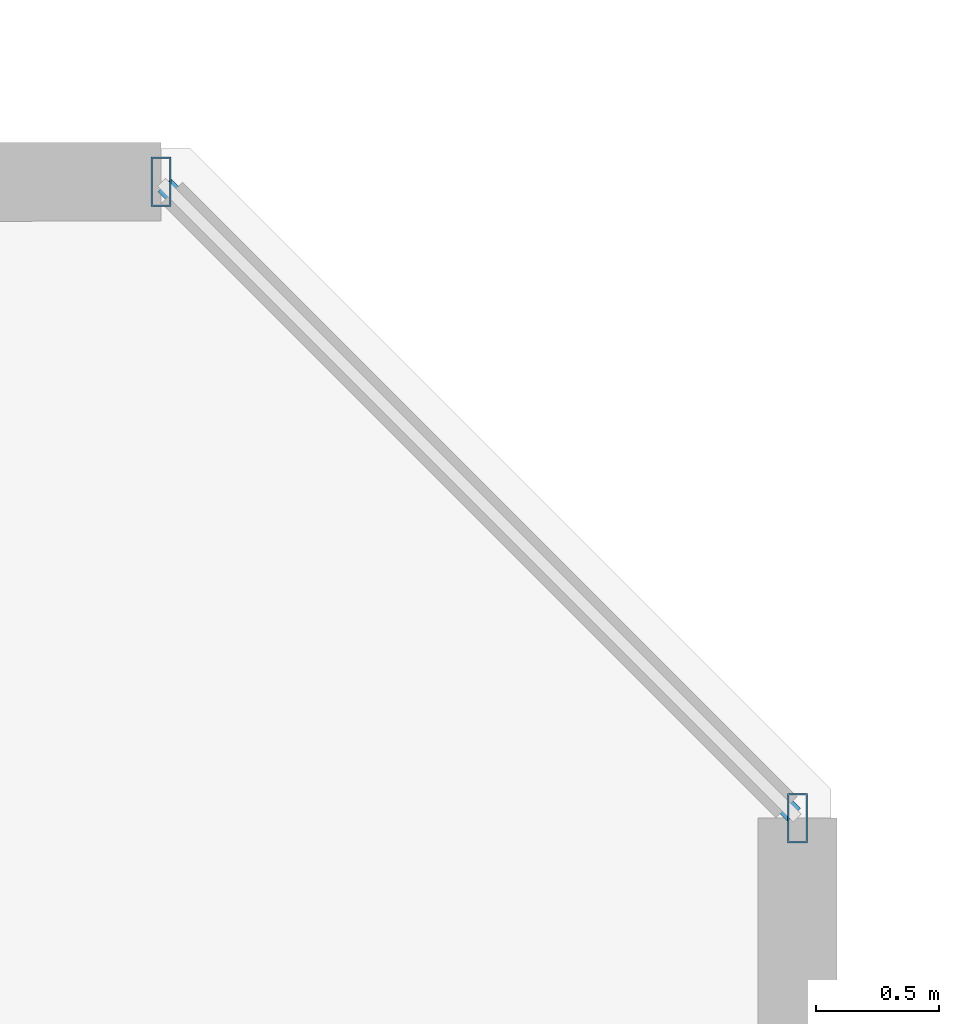
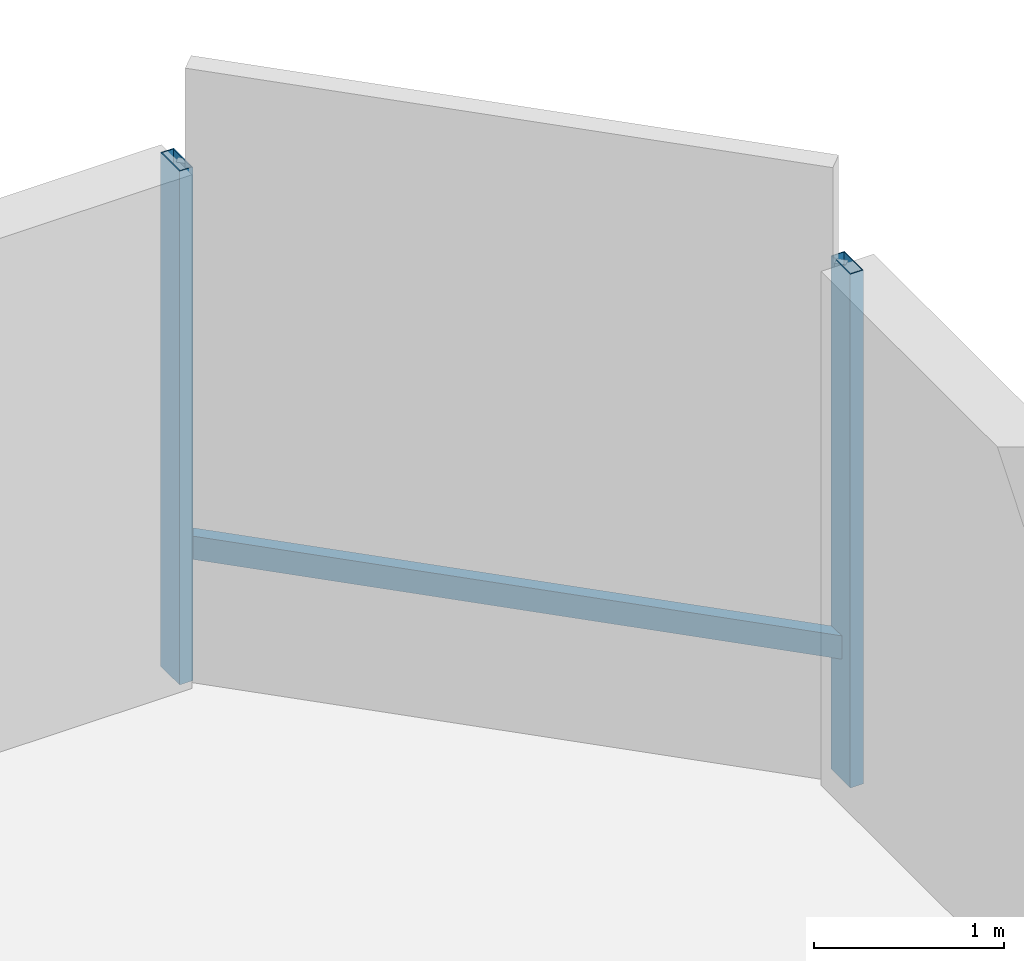
# One storey, part 10 of 33: 3 members, 1 element without a shape of its own.
"""IFC4 building model written with IfcOpenShell, lengths in metres."""

from ifc_helpers import new_model, si_unit, direction, frame, origin, origin_2d, place, context, subcontext, project, spatial, hollow_rectangle, extrude, material, material_profile, profile_set, type_object, element, aggregate, save


model = new_model("IFC4")

# Units and contexts
model_context = context("Model", 3, precision=1e-05, world=origin(), true_north=direction((0.0, 1.0)))
body_context = subcontext(model_context, "Body", "Model", "MODEL_VIEW")
ifc_project = project(units=[si_unit("LENGTHUNIT", "METRE"), si_unit("AREAUNIT", "SQUARE_METRE"), si_unit("VOLUMEUNIT", "CUBIC_METRE"), si_unit("PLANEANGLEUNIT", "RADIAN"), si_unit("MASSUNIT", "GRAM", prefix="KILO")], contexts=[model_context])

# Site, building, storey
site_placement = place(None, origin())
site = spatial("IfcSite", under=ifc_project, at=site_placement, CompositionType="ELEMENT")
building_placement = place(site_placement, origin())
building = spatial("IfcBuilding", under=site, at=building_placement, Name="Thornwick Lancets Civic Towers", CompositionType="ELEMENT")
storey_placement = place(building_placement, frame((0.0, 0.0, 174.300048828125)))
storey = spatial("IfcBuildingStorey", under=building, at=storey_placement, Name="L46", CompositionType="ELEMENT", Elevation=174.300048828125)

# Curtain wall, members
ifc_material_1 = material(Name="Mid-zone chamfered-corner unitised glass curtain wall", Category="glass")
curtain_wall_type = type_object("IfcCurtainWallType", Name="CW_SYS_04", PredefinedType="NOTDEFINED", material=ifc_material_1)
curtain_wall_placement = place(storey_placement, origin())
curtain_wall = element("IfcCurtainWall", 1, at=curtain_wall_placement, inside=storey, type_object=curtain_wall_type, Name="L46 Curtain Wall CW-L46-A-E3", PredefinedType="NOTDEFINED")
ifc_material_2 = material(Name="Thermally broken bronze aluminium S355", Category="steel")
ifc_material_profile_1 = material_profile(ifc_material_2, hollow_rectangle(XDim=0.080078125, YDim=0.199951171875, WallThickness=0.006103515625, at=origin_2d()), Name="RHS 200x80x6")
ifc_profile_set_1 = profile_set([ifc_material_profile_1], Name="Thermally broken bronze aluminium S355")
member_type_1 = type_object("IfcMemberType", Name="CW_MUL_200", PredefinedType="MULLION", material=ifc_profile_set_1)
member_1_placement = place(storey_placement, frame((49.2646484375, 48.181396484375, 0.0), z_axis=(0.0, 0.0, 1.0), x_axis=(1.0, 0.0, 0.0)))
member_1 = element("IfcMember", 2, at=member_1_placement, type_object=member_type_1, Name="CW-L46-A-E3 Mullion 0", PredefinedType="MULLION", context=body_context, shape_type="SweptSolid", body=[
    extrude(hollow_rectangle(XDim=0.080078125, YDim=0.199951171875, WallThickness=0.006103515625, at=origin_2d()), origin(), (0.0, 0.0, 1.0), 3.300048828125),
])
member_2_placement = place(storey_placement, frame((46.681396484375, 50.7646484375, 0.0), z_axis=(0.0, 0.0, 1.0), x_axis=(1.0, 0.0, 0.0)))
member_2 = element("IfcMember", 3, at=member_2_placement, type_object=member_type_1, Name="CW-L46-A-E3 Mullion 1", PredefinedType="MULLION", context=body_context, shape_type="SweptSolid", body=[
    extrude(hollow_rectangle(XDim=0.080078125, YDim=0.199951171875, WallThickness=0.006103515625, at=origin_2d()), origin(), (0.0, 0.0, 1.0), 3.300048828125),
])
ifc_material_profile_2 = material_profile(ifc_material_2, hollow_rectangle(XDim=0.074951171875, YDim=0.14990234375, WallThickness=0.0048828125, at=origin_2d()), Name="RHS 150x75x5")
ifc_profile_set_2 = profile_set([ifc_material_profile_2], Name="Thermally broken bronze aluminium S355")
member_type_2 = type_object("IfcMemberType", Name="CW_TRN_150", PredefinedType="USERDEFINED", material=ifc_profile_set_2)
member_3_placement = place(storey_placement, frame((49.25048828125, 48.195556640625, 0.849853515625), z_axis=(-0.707106781187, 0.707106781187, 0.0), x_axis=(-0.707106781187, -0.707106781187, 0.0)))
member_3 = element("IfcMember", 4, at=member_3_placement, type_object=member_type_2, Name="CW-L46-A-E3 Transom 0", ObjectType="TRANSOM", PredefinedType="USERDEFINED", context=body_context, shape_type="SweptSolid", body=[
    extrude(hollow_rectangle(XDim=0.074951171875, YDim=0.14990234375, WallThickness=0.0048828125, at=origin_2d()), origin(), (0.0, 0.0, 1.0), 3.61328125),
])
aggregate(curtain_wall, [member_1, member_2, member_3])

save(model, "model.ifc")
